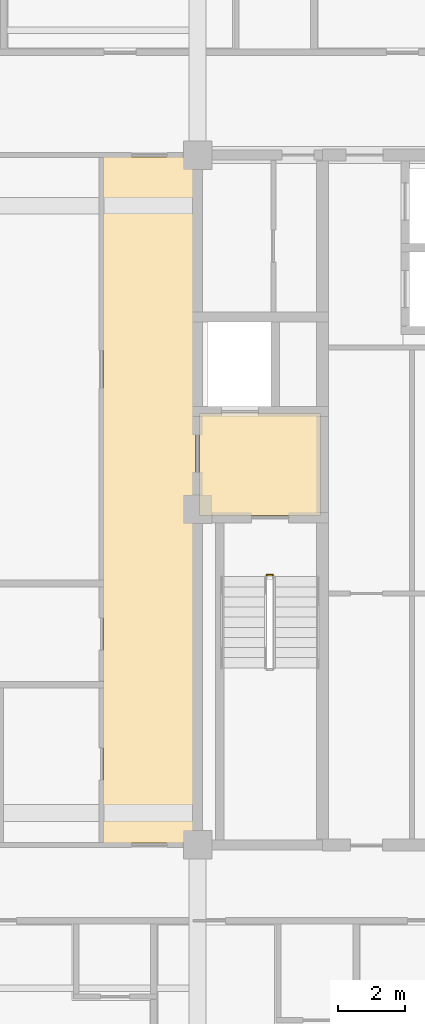
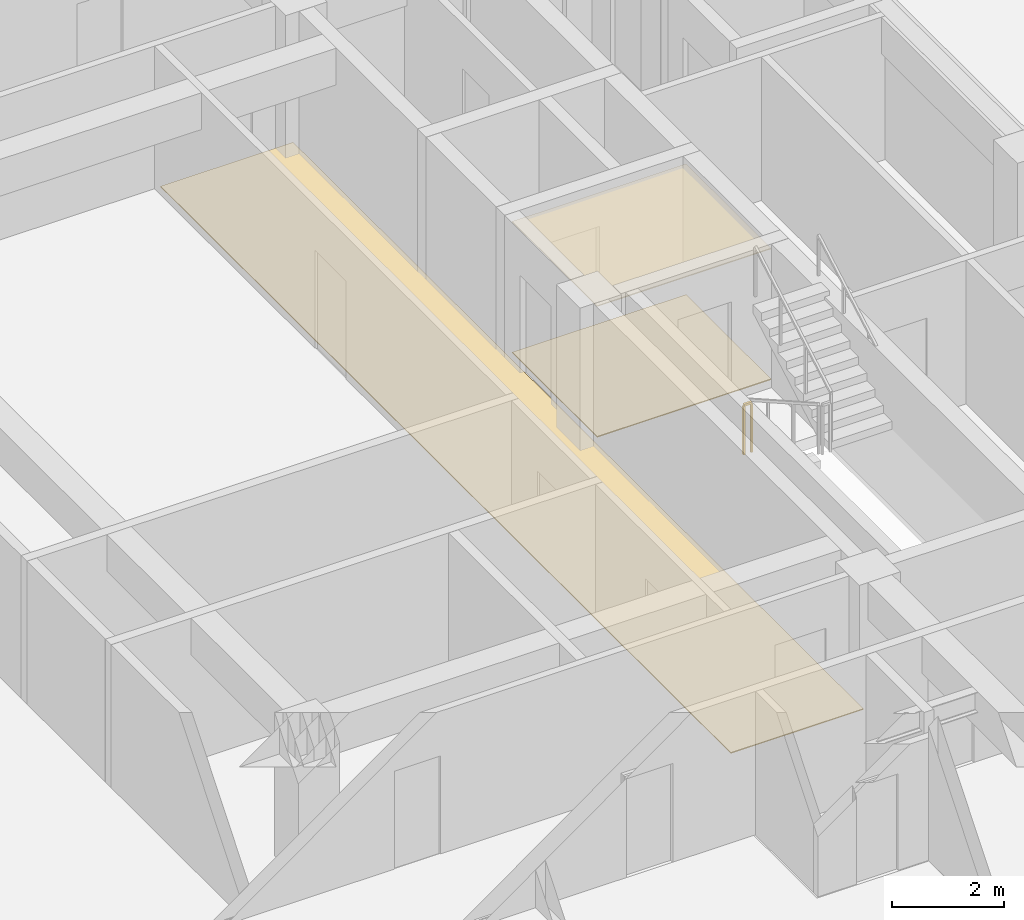
# One storey, part 14 of 15: 3 coverings, 1 railing.
"""IFC4 building model written with IfcOpenShell, lengths in metres."""

from ifc_helpers import new_model, si_unit, direction, frame, origin, origin_2d, place, context, subcontext, project, spatial, polyline, rectangle, outline, extrude, material, layer, layer_set, type_object, element, save


model = new_model("IFC4")

# Units and contexts
model_context = context("Model", 3, precision=1e-05, world=origin(), true_north=direction((0.0, 1.0)))
body_context = subcontext(model_context, "Body", "Model", "MODEL_VIEW")
ifc_project = project(units=[si_unit("LENGTHUNIT", "METRE"), si_unit("AREAUNIT", "SQUARE_METRE"), si_unit("VOLUMEUNIT", "CUBIC_METRE"), si_unit("PLANEANGLEUNIT", "RADIAN"), si_unit("MASSUNIT", "GRAM", prefix="KILO")], contexts=[model_context])

# Site, building, storey
site_placement = place(None, origin())
site = spatial("IfcSite", under=ifc_project, at=site_placement, CompositionType="ELEMENT")
building_placement = place(site_placement, origin())
building = spatial("IfcBuilding", under=site, at=building_placement, Name="Zulmaris Gate Convention Tower", CompositionType="ELEMENT")
storey_placement = place(building_placement, frame((0.0, 0.0, 172.85986328125)))
storey = spatial("IfcBuildingStorey", under=building, at=storey_placement, Name="L44", CompositionType="ELEMENT", Elevation=172.85986328125)

# Coverings
ifc_material_1 = material(Name="Mineral Fibre Acoustic Ceiling Tile")
ifc_layer_1 = layer(ifc_material_1, 0.02001953125, Name="Mineral Fibre Acoustic Ceiling Tile")
ifc_layer_set_1 = layer_set([ifc_layer_1], Name="Mineral Fibre Acoustic Ceiling Tile")
covering_type_1 = type_object("IfcCoveringType", Name="CLG-ACOUSTIC-600", PredefinedType="CEILING", material=ifc_layer_set_1)
covering_1_placement = place(storey_placement, frame((0.0, 0.0, 2.844970703125)))
element("IfcCovering", 1, at=covering_1_placement, inside=storey, type_object=covering_type_1, Name="CLG-L44-R08", PredefinedType="CEILING", context=body_context, shape_type="SweptSolid", body=[
    extrude(outline(polyline([(11.06005859375, -0.18994140625), (14.639892578125, -0.18994140625), (14.639892578125, 2.840087890625), (11.06005859375, 2.840087890625), (11.06005859375, -0.18994140625)])), origin(), (0.0, 0.0, 1.0), 0.02001953125),
])
ifc_material_2 = material(Name="Woven Acoustic Wool Carpet Tile")
ifc_layer_2 = layer(ifc_material_2, 0.02001953125, Name="Woven Acoustic Wool Carpet Tile")
ifc_layer_set_2 = layer_set([ifc_layer_2], Name="Woven Acoustic Wool Carpet Tile")
covering_type_2 = type_object("IfcCoveringType", Name="FLR-CARPET-12", PredefinedType="FLOORING", material=ifc_layer_set_2)
covering_2_placement = place(storey_placement, origin())
element("IfcCovering", 2, at=covering_2_placement, inside=storey, type_object=covering_type_2, Name="FLR-L44-R08", PredefinedType="FLOORING", context=body_context, shape_type="SweptSolid", body=[
    extrude(outline(polyline([(11.06005859375, -0.18994140625), (14.639892578125, -0.18994140625), (14.639892578125, 2.840087890625), (11.06005859375, 2.840087890625), (11.06005859375, -0.18994140625)])), origin(), (0.0, 0.0, 1.0), 0.02001953125),
])
covering_3_placement = place(storey_placement, origin())
element("IfcCovering", 3, at=covering_3_placement, inside=storey, type_object=covering_type_2, Name="FLR-L44-R34", PredefinedType="FLOORING", context=body_context, shape_type="SweptSolid", body=[
    extrude(outline(polyline([(8.2099609375, -9.889892578125), (10.93994140625, -9.889892578125), (10.93994140625, 10.43994140625), (8.2099609375, 10.43994140625), (8.2099609375, -9.889892578125)])), origin(), (0.0, 0.0, 1.0), 0.02001953125),
])

# Railing
ifc_material_3 = material(Name="Painted Galvanised Steel", Category="steel")
railing_type = type_object("IfcRailingType", Name="RL-STG-1150", PredefinedType="GUARDRAIL", material=ifc_material_3)
railing_placement = place(storey_placement, frame((13.06005859375, -1.949951171875, 0.0)))
element("IfcRailing", 4, at=railing_placement, inside=storey, type_object=railing_type, Name="L44 ST-2 stair guard 4", PredefinedType="GUARDRAIL", context=body_context, shape_type="SweptSolid", body=[
    extrude(rectangle(XDim=0.048095703125, YDim=0.048095703125, at=origin_2d()), frame((0.0, 0.0, 1.076171875), z_axis=(1.0, 0.0, 0.0), x_axis=(0.0, 1.0, 0.0)), (0.0, 0.0, 1.0), 0.159912109375),
    extrude(rectangle(XDim=0.0419921875, YDim=0.0419921875, at=origin_2d()), origin(), (0.0, 0.0, 1.0), 1.052001953125),
    extrude(rectangle(XDim=0.0419921875, YDim=0.0419921875, at=origin_2d()), frame((0.159912109375, 0.0, 0.0)), (0.0, 0.0, 1.0), 1.052001953125),
])

save(model, "model.ifc")
